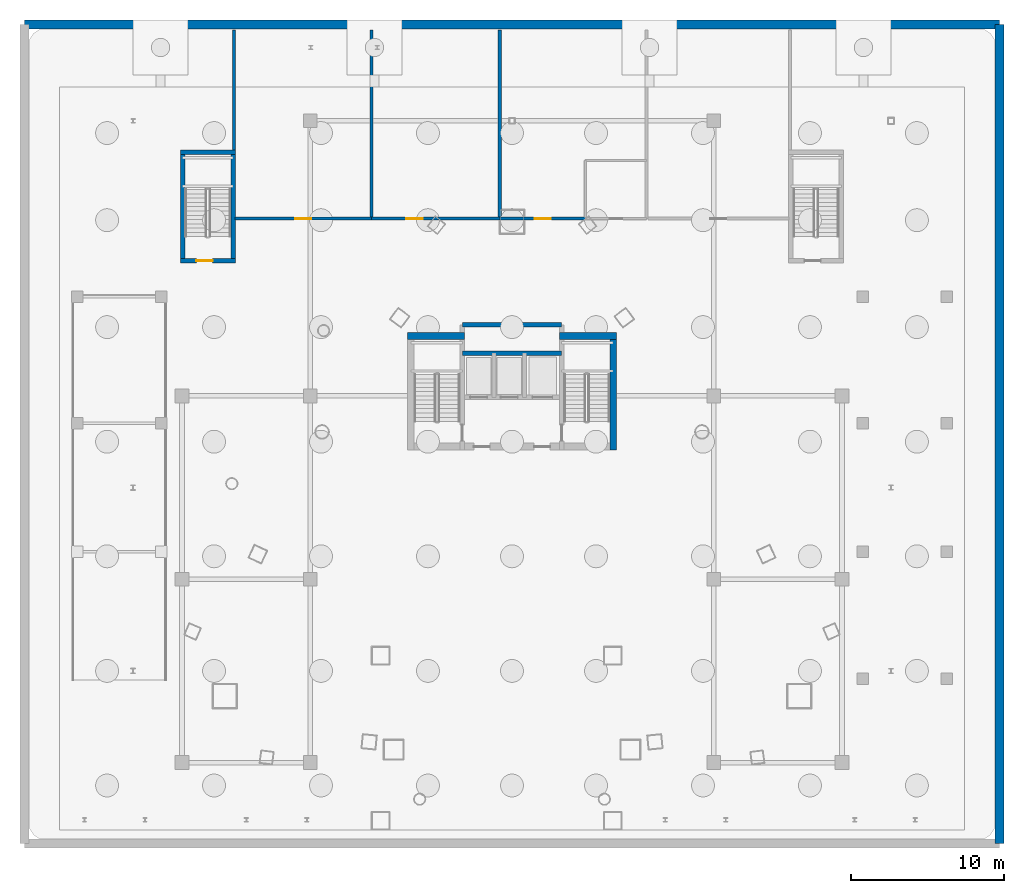
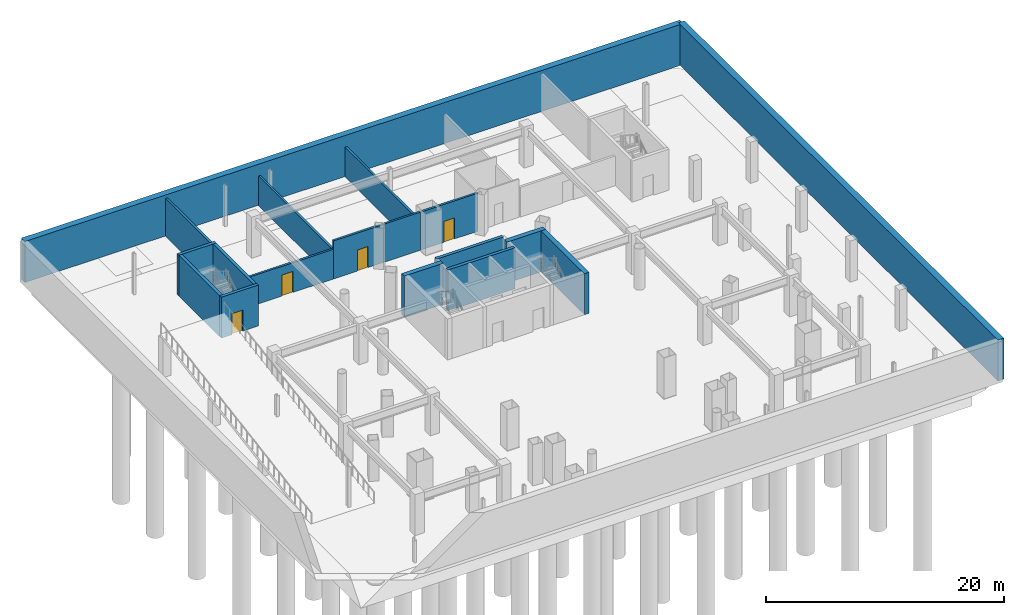
# One storey, part 7 of 12: 17 walls, 4 doors, 4 openings.
"""IFC4 building model written with IfcOpenShell, lengths in metres."""

from ifc_helpers import new_model, si_unit, direction, frame, frame_2d, origin, place, context, subcontext, project, spatial, rectangle, extrude, material, layer, layer_set, type_object, element, fill, save


model = new_model("IFC4")

# Units and contexts
model_context = context("Model", 3, precision=1e-05, world=origin(), true_north=direction((0.0, 1.0)))
body_context = subcontext(model_context, "Body", "Model", "MODEL_VIEW")
ifc_project = project(units=[si_unit("LENGTHUNIT", "METRE"), si_unit("AREAUNIT", "SQUARE_METRE"), si_unit("VOLUMEUNIT", "CUBIC_METRE"), si_unit("PLANEANGLEUNIT", "RADIAN"), si_unit("MASSUNIT", "GRAM", prefix="KILO")], contexts=[model_context])

# Site, building, storey
site_placement = place(None, origin())
site = spatial("IfcSite", under=ifc_project, at=site_placement, CompositionType="ELEMENT")
building_placement = place(site_placement, origin())
building = spatial("IfcBuilding", under=site, at=building_placement, Name="Orvanel Arch Residences", CompositionType="ELEMENT")
storey_placement = place(building_placement, frame((0.0, 0.0, -8.39990234375)))
storey = spatial("IfcBuildingStorey", under=building, at=storey_placement, Name="B02", CompositionType="ELEMENT", Elevation=-8.39990234375)

# Walls
ifc_material_1 = material(Name="Concrete N50 (50 MPa)", Category="concrete")
ifc_layer_1 = layer(ifc_material_1, 0.60009765625)
ifc_layer_set_1 = layer_set([ifc_layer_1], Name="Concrete N50 (50 MPa)")
wall_type_1 = type_object("IfcWallType", Name="RW-BSM-600", PredefinedType="USERDEFINED", material=ifc_layer_set_1)
wall_1_placement = place(storey_placement, frame((64.89990234375, 0.699951171875, 0.0), z_axis=(0.0, 0.0, 1.0), x_axis=(0.0, 1.0, 0.0)))
element("IfcWall", 1, at=wall_1_placement, inside=storey, type_object=wall_type_1, Name="B02 E Basement Retaining Wall", ObjectType="RETAININGWALL", PredefinedType="USERDEFINED", context=body_context, shape_type="SweptSolid", body=[
    extrude(rectangle(XDim=53.60009765625, YDim=0.60009765625, at=frame_2d((26.800048828125, 0.0))), origin(), (0.0, 0.0, 1.0), 4.199951171875),
])
wall_2_placement = place(storey_placement, frame((64.89990234375, 54.300048828125, 0.0), z_axis=(0.0, 0.0, 1.0), x_axis=(-1.0, 0.0, 0.0)))
element("IfcWall", 2, at=wall_2_placement, inside=storey, type_object=wall_type_1, Name="B02 N Basement Retaining Wall", ObjectType="RETAININGWALL", PredefinedType="USERDEFINED", context=body_context, shape_type="SweptSolid", body=[
    extrude(rectangle(XDim=63.7998046875, YDim=0.60009765625, at=frame_2d((31.89990234375, 0.0))), origin(), (0.0, 0.0, 1.0), 4.199951171875),
])
ifc_material_2 = material(Name="Concrete S80 (80 MPa)", Category="concrete")
ifc_layer_2 = layer(ifc_material_2, 0.300048828125)
ifc_layer_set_2 = layer_set([ifc_layer_2], Name="Concrete S80 (80 MPa)")
wall_type_2 = type_object("IfcWallType", Name="SW-CORE-300", PredefinedType="SHEAR", material=ifc_layer_set_2)
for number, where, z_axis, x_axis, name in (
    (3, (29.75, 32.800048828125, 0.0), (0.0, 0.0, 1.0), (1.0, 0.0, 0.0), "B02 Emergency Lift Back Core Shear Wall"),
    (4, (29.75, 34.64990234375, 0.0), (0.0, 0.0, 1.0), (1.0, 0.0, 0.0), "B02 Core Service Band North Shear Wall"),
):
    element("IfcWall", number, at=place(storey_placement, frame(where, z_axis=z_axis, x_axis=x_axis)), inside=storey, type_object=wall_type_2, Name=name, PredefinedType="SHEAR", context=body_context, shape_type="SweptSolid", body=[
        extrude(rectangle(XDim=6.5, YDim=0.300048828125, at=frame_2d((3.25, 0.0))), origin(), (0.0, 0.0, 1.0), 4.199951171875),
    ])
for number, where, z_axis, x_axis, name in (
    (5, (11.449951171875, 38.699951171875, 0.0), (0.0, 0.0, 1.0), (0.0, 1.0, 0.0), "B02 ST3 West Shear Wall"),
    (6, (14.75, 38.699951171875, 0.0), (0.0, 0.0, 1.0), (0.0, 1.0, 0.0), "B02 ST3 East Shear Wall"),
):
    element("IfcWall", number, at=place(storey_placement, frame(where, z_axis=z_axis, x_axis=x_axis)), inside=storey, type_object=wall_type_2, Name=name, PredefinedType="SHEAR", context=body_context, shape_type="SweptSolid", body=[
        extrude(rectangle(XDim=7.400146484375, YDim=0.300048828125, at=frame_2d((3.7001953125, 0.0))), origin(), (0.0, 0.0, 1.0), 4.199951171875),
    ])
wall_3_placement = place(storey_placement, frame((11.300048828125, 45.949951171875, 0.0), z_axis=(0.0, 0.0, 1.0), x_axis=(1.0, 0.0, 0.0)))
element("IfcWall", 7, at=wall_3_placement, inside=storey, type_object=wall_type_2, Name="B02 ST3 North Shear Wall", PredefinedType="SHEAR", context=body_context, shape_type="SweptSolid", body=[
    extrude(rectangle(XDim=3.599853515625, YDim=0.300048828125, at=frame_2d((1.7998046875, 0.0))), origin(), (0.0, 0.0, 1.0), 4.199951171875),
])

# Wall, opening, door
wall_4_placement = place(storey_placement, frame((11.300048828125, 38.85009765625, 0.0), z_axis=(0.0, 0.0, 1.0), x_axis=(1.0, 0.0, 0.0)))
wall_4 = element("IfcWall", 8, at=wall_4_placement, inside=storey, type_object=wall_type_2, Name="B02 ST3 South Shear Wall", PredefinedType="SHEAR", context=body_context, shape_type="SweptSolid", body=[
    extrude(rectangle(XDim=3.599853515625, YDim=0.300048828125, at=frame_2d((1.7998046875, 0.0))), origin(), (0.0, 0.0, 1.0), 4.199951171875),
])
opening_1_placement = place(wall_4_placement, frame((1.050048828125, 0.0, 0.0)))
opening_1 = element("IfcOpeningElement", 9, at=opening_1_placement, cuts=wall_4, Name="Opening DF-120", PredefinedType="OPENING", context=body_context, shape_type="SweptSolid", body=[
    extrude(rectangle(XDim=1.050048828125, YDim=2.14990234375, at=frame_2d((0.52490234375, 1.074951171875))), frame((0.0, 0.159912109375, 0.0), z_axis=(0.0, -1.0, 0.0), x_axis=(1.0, 0.0, 0.0)), (0.0, 0.0, 1.0), 0.320068359375),
])
ifc_material_3 = material(Name="Galvanised steel fire-resisting door assembly", Category="steel")
door_type_1 = type_object("IfcDoorType", Name="DR-FD120-1050", OperationType="NOTDEFINED", PredefinedType="DOOR", material=ifc_material_3)
door_1_placement = place(opening_1_placement, origin())
door_1 = element("IfcDoor", 10, at=door_1_placement, inside=storey, type_object=door_type_1, Name="DR-B02-ST3 B02 ST3 Exit Door", OperationType="SINGLE_SWING_LEFT", OverallHeight=2.14990234375, OverallWidth=1.050048828125, PredefinedType="DOOR", context=body_context, shape_type="SweptSolid", body=[
    extrude(rectangle(XDim=1.050048828125, YDim=2.14990234375, at=frame_2d((0.52490234375, 1.074951171875))), frame((0.0, 0.02490234375, 0.0), z_axis=(0.0, -1.0, 0.0), x_axis=(1.0, 0.0, 0.0)), (0.0, 0.0, 1.0), 0.050048828125),
])
fill(opening_1, door_1)

# Walls
ifc_layer_3 = layer(ifc_material_2, 0.449951171875)
ifc_layer_set_3 = layer_set([ifc_layer_3], Name="Concrete S80 (80 MPa)")
wall_type_3 = type_object("IfcWallType", Name="SW-CORE-450", PredefinedType="SHEAR", material=ifc_layer_set_3)
wall_5_placement = place(storey_placement, frame((26.14990234375, 33.925048828125, 0.0), z_axis=(0.0, 0.0, 1.0), x_axis=(1.0, 0.0, 0.0)))
element("IfcWall", 11, at=wall_5_placement, inside=storey, type_object=wall_type_3, Name="B02 West Stair North Shear Wall", PredefinedType="SHEAR", context=body_context, shape_type="SweptSolid", body=[
    extrude(rectangle(XDim=3.75, YDim=0.449951171875, at=frame_2d((1.875, 0.0))), origin(), (0.0, 0.0, 1.0), 4.199951171875),
])
wall_6_placement = place(storey_placement, frame((39.625, 26.449951171875, 0.0), z_axis=(0.0, 0.0, 1.0), x_axis=(0.0, 1.0, 0.0)))
element("IfcWall", 12, at=wall_6_placement, inside=storey, type_object=wall_type_3, Name="B02 East Stair Shear Wall", PredefinedType="SHEAR", context=body_context, shape_type="SweptSolid", body=[
    extrude(rectangle(XDim=7.699951171875, YDim=0.449951171875, at=frame_2d((3.85009765625, 0.0))), origin(), (0.0, 0.0, 1.0), 4.199951171875),
])
wall_7_placement = place(storey_placement, frame((36.10009765625, 33.925048828125, 0.0), z_axis=(0.0, 0.0, 1.0), x_axis=(1.0, 0.0, 0.0)))
element("IfcWall", 13, at=wall_7_placement, inside=storey, type_object=wall_type_3, Name="B02 East Stair North Shear Wall", PredefinedType="SHEAR", context=body_context, shape_type="SweptSolid", body=[
    extrude(rectangle(XDim=3.75, YDim=0.449951171875, at=frame_2d((1.875, 0.0))), origin(), (0.0, 0.0, 1.0), 4.199951171875),
])
ifc_material_4 = material(Name="Fire-rated plasterboard lined steel stud partition", Category="steel")
ifc_layer_4 = layer(ifc_material_4, 0.199951171875)
ifc_layer_set_4 = layer_set([ifc_layer_4], Name="Fire-rated plasterboard lined steel stud partition")
wall_type_4 = type_object("IfcWallType", Name="W-PLT-200", PredefinedType="PARTITIONING", material=ifc_layer_set_4)
wall_8_placement = place(storey_placement, frame((14.800048828125, 46.10009765625, 0.0), z_axis=(0.0, 0.0, 1.0), x_axis=(0.0, 1.0, 0.0)))
element("IfcWall", 14, at=wall_8_placement, inside=storey, type_object=wall_type_4, Name="B02 North Band West Wall", PredefinedType="PARTITIONING", context=body_context, shape_type="SweptSolid", body=[
    extrude(rectangle(XDim=7.849853515625, YDim=0.199951171875, at=frame_2d((3.9248046875, 0.0))), origin(), (0.0, 0.0, 1.0), 3.89990234375),
])

# Wall, opening, door
wall_9_placement = place(storey_placement, frame((14.885009765625, 41.60009765625, 0.0), z_axis=(0.0, 0.0, 1.0), x_axis=(1.0, 0.0, 0.0)))
wall_9 = element("IfcWall", 15, at=wall_9_placement, inside=storey, type_object=wall_type_4, Name="B02 Fire Sprinkler and Hydrant Tank Building Services Plant Front Wall", PredefinedType="PARTITIONING", context=body_context, shape_type="SweptSolid", body=[
    extrude(rectangle(XDim=8.9150390625, YDim=0.199951171875, at=frame_2d((4.45751953125, 0.0))), origin(), (0.0, 0.0, 1.0), 3.048828125),
])
opening_2_placement = place(wall_9_placement, frame((3.93310546875, 0.0, 0.0)))
opening_2 = element("IfcOpeningElement", 16, at=opening_2_placement, cuts=wall_9, Name="Opening DF-120", PredefinedType="OPENING", context=body_context, shape_type="SweptSolid", body=[
    extrude(rectangle(XDim=1.050048828125, YDim=2.14990234375, at=frame_2d((0.52490234375, 1.074951171875))), frame((0.0, 0.10986328125, 0.0), z_axis=(0.0, -1.0, 0.0), x_axis=(1.0, 0.0, 0.0)), (0.0, 0.0, 1.0), 0.219970703125),
])
door_2_placement = place(opening_2_placement, origin())
door_2 = element("IfcDoor", 17, at=door_2_placement, inside=storey, type_object=door_type_1, Name="DR-B02-PLT1 B02 Fire Sprinkler and Hydrant Tank Building Services Plant Door", OperationType="SINGLE_SWING_LEFT", OverallHeight=2.14990234375, OverallWidth=1.050048828125, PredefinedType="DOOR", context=body_context, shape_type="SweptSolid", body=[
    extrude(rectangle(XDim=1.050048828125, YDim=2.14990234375, at=frame_2d((0.52490234375, 1.074951171875))), frame((0.0, 0.02490234375, 0.0), z_axis=(0.0, -1.0, 0.0), x_axis=(1.0, 0.0, 0.0)), (0.0, 0.0, 1.0), 0.050048828125),
])
fill(opening_2, door_2)

# Wall
wall_10_placement = place(storey_placement, frame((23.800048828125, 41.68505859375, 0.0), z_axis=(0.0, 0.0, 1.0), x_axis=(0.0, 1.0, 0.0)))
element("IfcWall", 18, at=wall_10_placement, inside=storey, type_object=wall_type_4, Name="B02 Fire Sprinkler and Hydrant Tank Building Services Plant Dividing Wall", PredefinedType="PARTITIONING", context=body_context, shape_type="SweptSolid", body=[
    extrude(rectangle(XDim=12.264892578125, YDim=0.199951171875, at=frame_2d((6.13232421875, 0.0))), origin(), (0.0, 0.0, 1.0), 3.048828125),
])

# Wall, opening, door
wall_11_placement = place(storey_placement, frame((23.800048828125, 41.60009765625, 0.0), z_axis=(0.0, 0.0, 1.0), x_axis=(1.0, 0.0, 0.0)))
wall_11 = element("IfcWall", 19, at=wall_11_placement, inside=storey, type_object=wall_type_4, Name="B02 Basement Bicycle Storage and End-of-Trip Facilities Front Wall", PredefinedType="PARTITIONING", context=body_context, shape_type="SweptSolid", body=[
    extrude(rectangle(XDim=8.39990234375, YDim=0.199951171875, at=frame_2d((4.199951171875, 0.0))), origin(), (0.0, 0.0, 1.0), 3.89990234375),
])
opening_3_placement = place(wall_11_placement, frame((2.2939453125, 0.0, 0.0)))
opening_3 = element("IfcOpeningElement", 20, at=opening_3_placement, cuts=wall_11, Name="Opening DF-060", PredefinedType="OPENING", context=body_context, shape_type="SweptSolid", body=[
    extrude(rectangle(XDim=1.050048828125, YDim=2.14990234375, at=frame_2d((0.52490234375, 1.074951171875))), frame((0.0, 0.10986328125, 0.0), z_axis=(0.0, -1.0, 0.0), x_axis=(1.0, 0.0, 0.0)), (0.0, 0.0, 1.0), 0.219970703125),
])
door_type_2 = type_object("IfcDoorType", Name="DR-FD60-1050", OperationType="NOTDEFINED", PredefinedType="DOOR", material=ifc_material_3)
door_3_placement = place(opening_3_placement, origin())
door_3 = element("IfcDoor", 21, at=door_3_placement, inside=storey, type_object=door_type_2, Name="DR-B02-BIKE B02 Basement Bicycle Storage and End-of-Trip Facilities Door", OperationType="SINGLE_SWING_LEFT", OverallHeight=2.14990234375, OverallWidth=1.050048828125, PredefinedType="DOOR", context=body_context, shape_type="SweptSolid", body=[
    extrude(rectangle(XDim=1.050048828125, YDim=2.14990234375, at=frame_2d((0.52490234375, 1.074951171875))), frame((0.0, 0.02490234375, 0.0), z_axis=(0.0, -1.0, 0.0), x_axis=(1.0, 0.0, 0.0)), (0.0, 0.0, 1.0), 0.050048828125),
])
fill(opening_3, door_3)

# Wall
wall_12_placement = place(storey_placement, frame((32.199951171875, 41.68505859375, 0.0), z_axis=(0.0, 0.0, 1.0), x_axis=(0.0, 1.0, 0.0)))
element("IfcWall", 22, at=wall_12_placement, inside=storey, type_object=wall_type_4, Name="B02 Basement Bicycle Storage and End-of-Trip Facilities Dividing Wall", PredefinedType="PARTITIONING", context=body_context, shape_type="SweptSolid", body=[
    extrude(rectangle(XDim=12.264892578125, YDim=0.199951171875, at=frame_2d((6.13232421875, 0.0))), origin(), (0.0, 0.0, 1.0), 3.048828125),
])

# Wall, opening, door
wall_13_placement = place(storey_placement, frame((32.199951171875, 41.60009765625, 0.0), z_axis=(0.0, 0.0, 1.0), x_axis=(1.0, 0.0, 0.0)))
wall_13 = element("IfcWall", 23, at=wall_13_placement, inside=storey, type_object=wall_type_4, Name="B02 Clinical Bulk Store Room Front Wall", PredefinedType="PARTITIONING", context=body_context, shape_type="SweptSolid", body=[
    extrude(rectangle(XDim=5.60009765625, YDim=0.199951171875, at=frame_2d((2.800048828125, 0.0))), origin(), (0.0, 0.0, 1.0), 3.89990234375),
])
opening_4_placement = place(wall_13_placement, frame((2.27490234375, 0.0, 0.0)))
opening_4 = element("IfcOpeningElement", 24, at=opening_4_placement, cuts=wall_13, Name="Opening DF-060", PredefinedType="OPENING", context=body_context, shape_type="SweptSolid", body=[
    extrude(rectangle(XDim=1.050048828125, YDim=2.14990234375, at=frame_2d((0.52490234375, 1.074951171875))), frame((0.0, 0.10986328125, 0.0), z_axis=(0.0, -1.0, 0.0), x_axis=(1.0, 0.0, 0.0)), (0.0, 0.0, 1.0), 0.219970703125),
])
door_4_placement = place(opening_4_placement, origin())
door_4 = element("IfcDoor", 25, at=door_4_placement, inside=storey, type_object=door_type_2, Name="DR-B02-CLIN B02 Clinical Bulk Store Room Door", OperationType="SINGLE_SWING_LEFT", OverallHeight=2.14990234375, OverallWidth=1.050048828125, PredefinedType="DOOR", context=body_context, shape_type="SweptSolid", body=[
    extrude(rectangle(XDim=1.050048828125, YDim=2.14990234375, at=frame_2d((0.52490234375, 1.074951171875))), frame((0.0, 0.02490234375, 0.0), z_axis=(0.0, -1.0, 0.0), x_axis=(1.0, 0.0, 0.0)), (0.0, 0.0, 1.0), 0.050048828125),
])
fill(opening_4, door_4)

save(model, "model.ifc")
